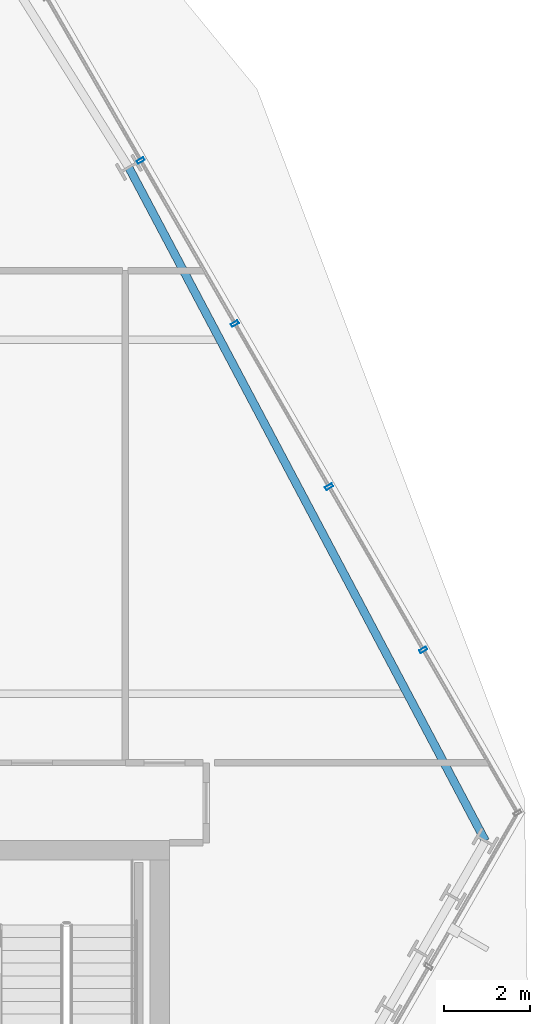
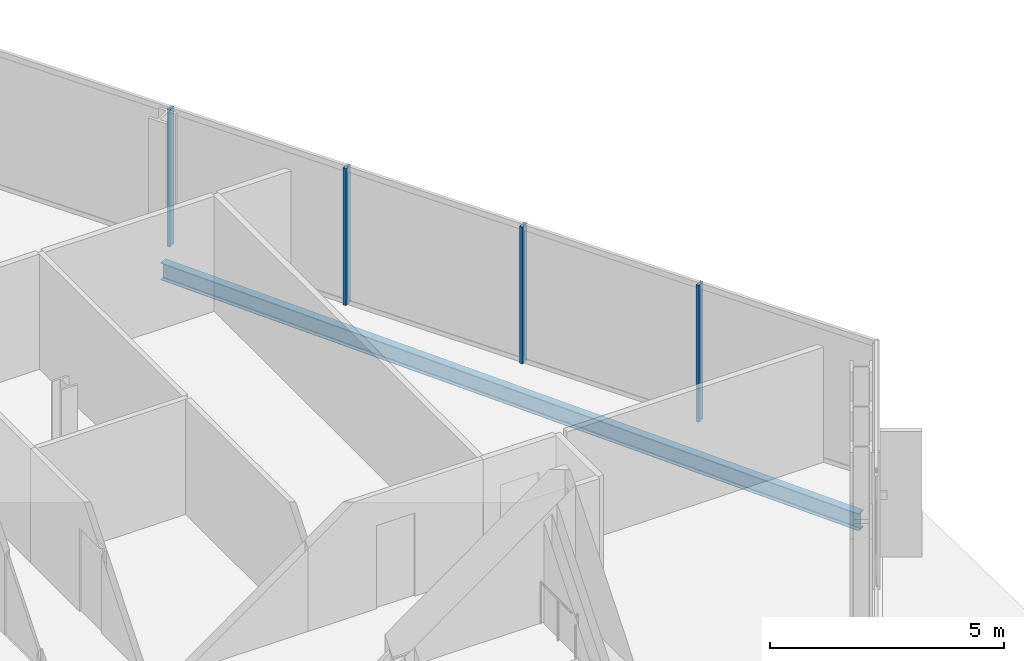
# One storey, part 19 of 36: 4 members, 1 beam, 1 element without a shape of its own.
"""IFC4 building model written with IfcOpenShell, lengths in metres."""

from ifc_helpers import new_model, si_unit, direction, frame, origin, origin_2d, place, context, subcontext, project, spatial, hollow_rectangle, i_section, extrude, material, layer, layer_set, material_profile, profile_set, type_object, element, aggregate, save


model = new_model("IFC4")

# Units and contexts
model_context = context("Model", 3, precision=1e-05, world=origin(), true_north=direction((0.0, 1.0)))
body_context = subcontext(model_context, "Body", "Model", "MODEL_VIEW")
ifc_project = project(units=[si_unit("LENGTHUNIT", "METRE"), si_unit("AREAUNIT", "SQUARE_METRE"), si_unit("VOLUMEUNIT", "CUBIC_METRE"), si_unit("PLANEANGLEUNIT", "RADIAN"), si_unit("MASSUNIT", "GRAM", prefix="KILO")], contexts=[model_context])

# Site, building, storey
site_placement = place(None, origin())
site = spatial("IfcSite", under=ifc_project, at=site_placement, CompositionType="ELEMENT")
building_placement = place(site_placement, origin())
building = spatial("IfcBuilding", under=site, at=building_placement, Name="Ndaravel Arena Tower", CompositionType="ELEMENT")
storey_placement = place(building_placement, frame((0.0, 0.0, 127.0)))
storey = spatial("IfcBuildingStorey", under=building, at=storey_placement, Name="L29", CompositionType="ELEMENT", Elevation=127.0)

# Beam
ifc_material_1 = material(Name="Steel S355", Category="steel")
ifc_material_profile_1 = material_profile(ifc_material_1, i_section(OverallWidth=0.18994140625, OverallDepth=0.449951171875, WebThickness=0.009521484375, FlangeThickness=0.0146484375, FilletRadius=0.02099609375, at=origin_2d()), Name="IPE 450")
ifc_profile_set_1 = profile_set([ifc_material_profile_1], Name="Steel S355")
beam_type = type_object("IfcBeamType", Name="BM-SPAN-IPE450", PredefinedType="SPANDREL", material=ifc_profile_set_1)
beam_placement = place(storey_placement, frame((64.867919921875, 15.193603515625, -0.445068359375), z_axis=(-0.467885177622, 0.883789262529, 0.0), x_axis=(-0.883789262529, -0.467885177622, 0.0)))
element("IfcBeam", 1, at=beam_placement, inside=storey, type_object=beam_type, Name="L29 Perimeter Spandrel Beam SP-09", PredefinedType="SPANDREL", context=body_context, shape_type="SweptSolid", body=[
    extrude(i_section(OverallWidth=0.18994140625, OverallDepth=0.449951171875, WebThickness=0.009521484375, FlangeThickness=0.0146484375, FilletRadius=0.02099609375, at=origin_2d()), origin(), (0.0, 0.0, 1.0), 17.6455078125),
])

# Curtain wall, members
ifc_material_2 = material(Name="Aluminium", Category="aluminium")
ifc_layer = layer(ifc_material_2, 0.179931640625)
ifc_layer_set = layer_set([ifc_layer], Name="Aluminium")
curtain_wall_type = type_object("IfcCurtainWallType", Name="CW-SYS-03", PredefinedType="NOTDEFINED", material=ifc_layer_set)
curtain_wall_placement = place(storey_placement, origin())
curtain_wall = element("IfcCurtainWall", 2, at=curtain_wall_placement, inside=storey, type_object=curtain_wall_type, Name="L29 Faceted Crystal Curtain Wall CW-L29-E03", PredefinedType="NOTDEFINED")
ifc_material_3 = material(Name="Aluminium", Category="aluminium")
ifc_material_profile_2 = material_profile(ifc_material_3, hollow_rectangle(XDim=0.074951171875, YDim=0.179931640625, WallThickness=0.00390625, at=origin_2d()), Name="CW MULLION 75x180x4")
ifc_profile_set_2 = profile_set([ifc_material_profile_2], Name="Aluminium")
member_type = type_object("IfcMemberType", Name="MEM-CW-MUL180", PredefinedType="MULLION", material=ifc_profile_set_2)
member_1_placement = place(storey_placement, frame((63.4306640625, 19.617919921875, 0.0), z_axis=(0.0, 0.0, 1.0), x_axis=(-0.5, 0.866025403784, 0.0)))
member_1 = element("IfcMember", 3, at=member_1_placement, type_object=member_type, Name="CW-L29-E03 Mullion 01", PredefinedType="MULLION", context=body_context, shape_type="SweptSolid", body=[
    extrude(hollow_rectangle(XDim=0.074951171875, YDim=0.179931640625, WallThickness=0.00390625, at=origin_2d()), origin(), (0.0, 0.0, 1.0), 3.580078125),
])
member_2_placement = place(storey_placement, frame((61.25, 23.39501953125, 0.0), z_axis=(0.0, 0.0, 1.0), x_axis=(-0.5, 0.866025403784, 0.0)))
member_2 = element("IfcMember", 4, at=member_2_placement, type_object=member_type, Name="CW-L29-E03 Mullion 02", PredefinedType="MULLION", context=body_context, shape_type="SweptSolid", body=[
    extrude(hollow_rectangle(XDim=0.074951171875, YDim=0.179931640625, WallThickness=0.00390625, at=origin_2d()), origin(), (0.0, 0.0, 1.0), 3.580078125),
])
member_3_placement = place(storey_placement, frame((59.069580078125, 27.171630859375, 0.0), z_axis=(0.0, 0.0, 1.0), x_axis=(-0.5, 0.866025403784, 0.0)))
member_3 = element("IfcMember", 5, at=member_3_placement, type_object=member_type, Name="CW-L29-E03 Mullion 03", PredefinedType="MULLION", context=body_context, shape_type="SweptSolid", body=[
    extrude(hollow_rectangle(XDim=0.074951171875, YDim=0.179931640625, WallThickness=0.00390625, at=origin_2d()), origin(), (0.0, 0.0, 1.0), 3.580078125),
])
member_4_placement = place(storey_placement, frame((56.888916015625, 30.948486328125, 0.0), z_axis=(0.0, 0.0, 1.0), x_axis=(-0.5, 0.866025403784, 0.0)))
member_4 = element("IfcMember", 6, at=member_4_placement, type_object=member_type, Name="CW-L29-E03 Mullion 04", PredefinedType="MULLION", context=body_context, shape_type="SweptSolid", body=[
    extrude(hollow_rectangle(XDim=0.074951171875, YDim=0.179931640625, WallThickness=0.00390625, at=origin_2d()), origin(), (0.0, 0.0, 1.0), 3.580078125),
])
aggregate(curtain_wall, [member_1, member_2, member_3, member_4])

save(model, "model.ifc")
